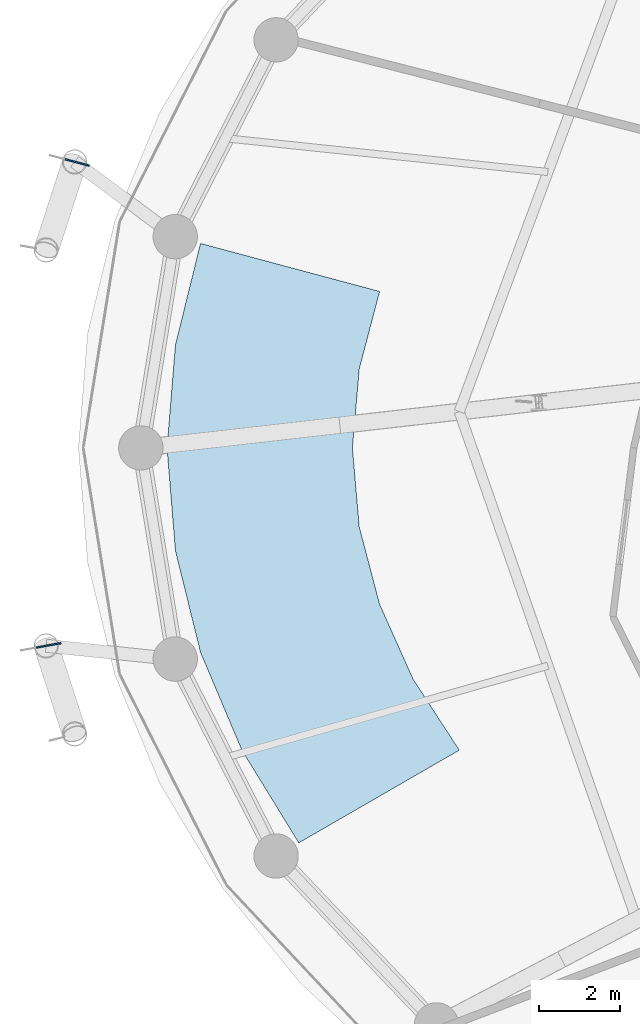
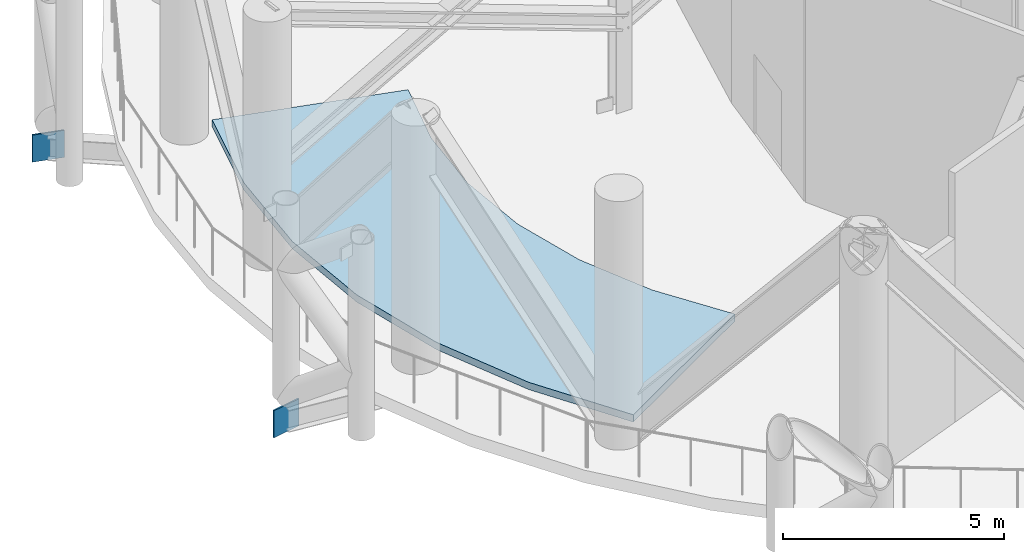
# One storey, part 5 of 19: 2 plates, 1 slab.
"""IFC4 building model written with IfcOpenShell, lengths in metres."""

import ifcopenshell
import ifcopenshell.guid

model = None  # the IFC model being written
_history = None  # IfcOwnerHistory: only IFC2X3 demands one
_inside = {}  # id of a spatial element -> (the spatial element, [elements in it])
_under = {}  # id of a project, library or spatial element -> (it, [spatial elements below it])
_declared = {}  # id of a project -> (the project, [libraries it declares])
_typed = {}  # id of a type object -> (the type object, [elements of that type])
_made_of = {}  # id of a material, layer set ... -> (it, [elements and type objects made of it])


def new_model(schema):
    """Start an empty IFC model of exactly this schema.

    Asked for "IFC4X3", IfcOpenShell would pick the latest addendum, in which some entities
    have other attributes; the version numbers below select the first issue.
    IFC2X3 requires an IfcOwnerHistory on every rooted entity: one is made here for all.
    """
    global model, _history
    if schema == "IFC4X3":
        model = ifcopenshell.file(schema_version=(4, 3, 0, 0))
    else:
        model = ifcopenshell.file(schema=schema)
    _inside.clear()
    _under.clear()
    _declared.clear()
    _typed.clear()
    _made_of.clear()
    _history = None
    if model.schema == "IFC2X3":
        org = make("IfcOrganization", Name="unknown")
        user = make(
            "IfcPersonAndOrganization",
            ThePerson=make("IfcPerson", FamilyName="unknown"),
            TheOrganization=org,
        )
        app = make(
            "IfcApplication",
            ApplicationDeveloper=org,
            Version="unknown",
            ApplicationFullName="unknown",
            ApplicationIdentifier="unknown",
        )
        _history = make(
            "IfcOwnerHistory",
            OwningUser=user,
            OwningApplication=app,
            ChangeAction="ADDED",
            CreationDate=0,
        )
    return model


def make(cls, **values):
    """One entity of the class cls with the attributes given. An attribute that is None is left unset."""
    return model.create_entity(
        cls, **{name: value for name, value in values.items() if value is not None}
    )


def rooted(cls, **values):
    """An entity with a GlobalId (a new one), such as an element, a storey or a relation."""
    return make(cls, GlobalId=ifcopenshell.guid.new(), OwnerHistory=_history, **values)


def si_unit(unit_type, name, prefix=None):
    """IfcSIUnit, for example si_unit("LENGTHUNIT", "METRE", prefix="MILLI")."""
    return make("IfcSIUnit", UnitType=unit_type, Prefix=prefix, Name=name)


def assignment(units):
    """IfcUnitAssignment: the units of a project."""
    return None if units is None else make("IfcUnitAssignment", Units=units)


def point(xyz):
    """IfcCartesianPoint."""
    return None if xyz is None else make("IfcCartesianPoint", Coordinates=xyz)


def direction(xyz):
    """IfcDirection."""
    return None if xyz is None else make("IfcDirection", DirectionRatios=xyz)


def frame(location, z_axis=None, x_axis=None):
    """IfcAxis2Placement3D, a coordinate frame: its origin and axes. An axis left out is left unset."""
    return make(
        "IfcAxis2Placement3D",
        Location=point(location),
        Axis=direction(z_axis),
        RefDirection=direction(x_axis),
    )


def frame_2d(location, x_axis=None):
    """IfcAxis2Placement2D, a coordinate frame in the plane: its origin and x axis."""
    return make(
        "IfcAxis2Placement2D", Location=point(location), RefDirection=direction(x_axis)
    )


def origin():
    """The frame at (0, 0, 0) with its axes left unset."""
    return frame((0.0, 0.0, 0.0))


def origin_2d():
    """The frame at (0, 0) in the plane with its x axis left unset."""
    return frame_2d((0.0, 0.0))


def place(relative_to, where):
    """IfcLocalPlacement: puts the frame where relative to a parent placement (None: the world)."""
    return make(
        "IfcLocalPlacement", PlacementRelTo=relative_to, RelativePlacement=where
    )


def context(
    kind, dimensions, precision=None, world=None, true_north=None, identifier=None
):
    """IfcGeometricRepresentationContext, for example the 3D "Model" context."""
    return make(
        "IfcGeometricRepresentationContext",
        ContextIdentifier=identifier,
        ContextType=kind,
        CoordinateSpaceDimension=dimensions,
        Precision=precision,
        WorldCoordinateSystem=world,
        TrueNorth=true_north,
    )


def subcontext(parent, identifier, kind, view, scale=None):
    """IfcGeometricRepresentationSubContext, for example "Body" below "Model"."""
    return make(
        "IfcGeometricRepresentationSubContext",
        ContextIdentifier=identifier,
        ContextType=kind,
        ParentContext=parent,
        TargetScale=scale,
        TargetView=view,
    )


def project(units=None, contexts=None):
    """IfcProject with its units and contexts."""
    return rooted(
        "IfcProject",
        Name="project",
        RepresentationContexts=contexts,
        UnitsInContext=assignment(units),
    )


def spatial(cls, under=None, at=None, **own):
    """A site, building, storey or space (cls), placed at a placement, below another one or the project."""
    s = rooted(cls, ObjectPlacement=at, **own)
    if under is not None:
        _under.setdefault(under.id(), (under, []))[1].append(s)
    return s


def polyline(points):
    """IfcPolyline through the points."""
    return make("IfcPolyline", Points=[point(p) for p in points])


def profile(cls, at=None, kind="AREA", **sizes):
    """A parametric profile (cls). Its sizes go by their IFC names, for example OverallWidth=200.0."""
    return make(cls, ProfileType=kind, Position=at, **sizes)


def rectangle(**sizes):
    """IfcRectangleProfileDef."""
    return profile("IfcRectangleProfileDef", **sizes)


def outline(outer, holes=None, kind="AREA"):
    """IfcArbitraryClosedProfileDef: a profile drawn as a closed curve; with holes, ...WithVoids."""
    if holes is None:
        return make("IfcArbitraryClosedProfileDef", ProfileType=kind, OuterCurve=outer)
    return make(
        "IfcArbitraryProfileDefWithVoids",
        ProfileType=kind,
        OuterCurve=outer,
        InnerCurves=holes,
    )


def extrude(swept, where, along, depth):
    """IfcExtrudedAreaSolid: the profile swept, set in the frame where, extruded along a direction by depth."""
    return make(
        "IfcExtrudedAreaSolid",
        SweptArea=swept,
        Position=where,
        ExtrudedDirection=direction(along),
        Depth=depth,
    )


def shape(context_of_items, identifier, shape_type, items):
    """IfcShapeRepresentation: the items that make up one representation, for example the "Body"."""
    return make(
        "IfcShapeRepresentation",
        ContextOfItems=context_of_items,
        RepresentationIdentifier=identifier,
        RepresentationType=shape_type,
        Items=items,
    )


def material(Name=None, Category=None):
    """IfcMaterial."""
    return make("IfcMaterial", Name=Name, Category=Category)


def layer(
    of_material, thickness, ventilated=None, Name=None, Category=None, Priority=None
):
    """IfcMaterialLayer: one layer of a wall or slab, of a material (None: an air gap)."""
    return make(
        "IfcMaterialLayer",
        Material=of_material,
        LayerThickness=thickness,
        IsVentilated=ventilated,
        Name=Name,
        Category=Category,
        Priority=Priority,
    )


def layer_set(layers, Name=None):
    """IfcMaterialLayerSet."""
    return make("IfcMaterialLayerSet", MaterialLayers=layers, LayerSetName=Name)


def made_of(thing, what):
    """Note that an element or type object is made of a material, layer set ...; save() writes the relation."""
    if what is not None:
        _made_of.setdefault(what.id(), (what, []))[1].append(thing)
    return thing


def type_object(cls, material=None, **own):
    """A type object (cls), such as IfcWallType, which elements share."""
    return made_of(rooted(cls, **own), material)


def element(
    cls,
    number,
    at=None,
    inside=None,
    cuts=None,
    type_object=None,
    material=None,
    context=None,
    identifier="Body",
    shape_type=None,
    held_by="IfcProductDefinitionShape",
    body=None,
    shapes=None,
    **own,
):
    """One element of the class cls, such as IfcWall. Its Tag is "e" and its number.

    at: its placement. inside: the storey or other place that contains it. cuts: it is an
    opening in that element (IfcRelVoidsElement). A single representation is given by context,
    identifier, shape_type and body (its items); several are given by shapes. held_by: the class
    of the entity that holds the representations. save() writes the other relations.
    """
    e = rooted(cls, Tag="e%d" % number, ObjectPlacement=at, **own)
    if body is not None:
        shapes = [shape(context, identifier, shape_type, body)]
    if shapes is not None:
        e.Representation = make(held_by, Representations=shapes)
    if inside is not None:
        _inside.setdefault(inside.id(), (inside, []))[1].append(e)
    if cuts is not None:
        rooted(
            "IfcRelVoidsElement", RelatingBuildingElement=cuts, RelatedOpeningElement=e
        )
    if type_object is not None:
        _typed.setdefault(type_object.id(), (type_object, []))[1].append(e)
    return made_of(e, material)


def aggregate(whole, parts):
    """IfcRelAggregates: a whole, such as a stair, and the parts it consists of."""
    return rooted("IfcRelAggregates", RelatingObject=whole, RelatedObjects=parts)


def save(model, path):
    """Write the relations noted so far, then the file.

    IfcRelAggregates (storeys below a building ...), IfcRelContainedInSpatialStructure (elements
    in a storey), IfcRelDefinesByType, IfcRelAssociatesMaterial and IfcRelDeclares: one each for
    every whole, place, type object, material and project.
    """
    for whole, parts in _under.values():
        aggregate(whole, parts)
    for where, things in _inside.values():
        rooted(
            "IfcRelContainedInSpatialStructure",
            RelatedElements=things,
            RelatingStructure=where,
        )
    for kind, things in _typed.values():
        rooted("IfcRelDefinesByType", RelatedObjects=things, RelatingType=kind)
    for what, things in _made_of.values():
        rooted("IfcRelAssociatesMaterial", RelatedObjects=things, RelatingMaterial=what)
    for by, libraries in _declared.values():
        rooted("IfcRelDeclares", RelatingContext=by, RelatedDefinitions=libraries)
    model.write(path)


model = new_model("IFC4")

# Units and contexts
model_context = context("Model", 3, precision=1e-05, world=origin(), true_north=direction((0.0, 1.0)))
body_context = subcontext(model_context, "Body", "Model", "MODEL_VIEW")
ifc_project = project(units=[si_unit("LENGTHUNIT", "METRE"), si_unit("AREAUNIT", "SQUARE_METRE"), si_unit("VOLUMEUNIT", "CUBIC_METRE"), si_unit("PLANEANGLEUNIT", "RADIAN"), si_unit("MASSUNIT", "GRAM", prefix="KILO")], contexts=[model_context])

# Site, building, storey
site_placement = place(None, origin())
site = spatial("IfcSite", under=ifc_project, at=site_placement, CompositionType="ELEMENT")
building_placement = place(site_placement, origin())
building = spatial("IfcBuilding", under=site, at=building_placement, Name="Nuhasar Tower", CompositionType="ELEMENT")
storey_placement = place(building_placement, frame((0.0, 0.0, 106.050048828125)))
storey = spatial("IfcBuildingStorey", under=building, at=storey_placement, Name="L25", CompositionType="ELEMENT", Elevation=106.050048828125)

# Plates
ifc_material_1 = material(Name="Steel S460", Category="steel")
ifc_layer_1 = layer(ifc_material_1, 0.0400390625)
ifc_layer_set_1 = layer_set([ifc_layer_1], Name="Steel S460")
plate_type = type_object("IfcPlateType", Name="PLT-GUSSET-40", PredefinedType="SHEET", material=ifc_layer_set_1)
for number, where, z_axis, x_axis, name in (
    (1, (12.30810546875, 33.89892578125, -1.030029296875), (0.0, 0.0, 1.0), (-0.966403000906, 0.257031593079, 0.0), "L25 Bronze Diagrid Gusset Node Plate 06"),
    (2, (11.60009765625, 21.889892578125, -1.030029296875), (0.0, 0.0, 1.0), (-0.984322075157, -0.176380419433, 0.0), "L25 Bronze Diagrid Gusset Node Plate 07"),
):
    element("IfcPlate", number, at=place(storey_placement, frame(where, z_axis=z_axis, x_axis=x_axis)), inside=storey, type_object=plate_type, Name=name, PredefinedType="SHEET", context=body_context, shape_type="SweptSolid", body=[
        extrude(rectangle(XDim=0.75, YDim=0.0400390625, at=origin_2d()), origin(), (0.0, 0.0, 1.0), 0.75),
    ])

# Slab
ifc_material_2 = material(Name="Concrete C50/60", Category="concrete")
ifc_layer_2 = layer(ifc_material_2, 0.199951171875)
ifc_layer_set_2 = layer_set([ifc_layer_2], Name="Concrete C50/60")
slab_type = type_object("IfcSlabType", Name="SLB-PLN-200", PredefinedType="BASESLAB", material=ifc_layer_set_2)
slab_placement = place(storey_placement, origin())
element("IfcSlab", 3, at=slab_placement, inside=storey, type_object=slab_type, Name="L25 Mechanical Plant Plinth Slab West", PredefinedType="BASESLAB", context=body_context, shape_type="SweptSolid", body=[
    extrude(outline(polyline([(15.430908203125, 31.873046875), (14.80908203125, 29.35791015625), (14.60009765625, 26.800048828125), (14.80908203125, 24.241943359375), (15.430908203125, 21.72705078125), (16.45703125, 19.299072265625), (17.868896484375, 17.0), (21.85302734375, 19.300048828125), (20.70703125, 21.06005859375), (19.875, 22.91796875), (19.368896484375, 24.842041015625), (19.199951171875, 26.800048828125), (19.368896484375, 28.758056640625), (19.875, 30.681884765625), (15.430908203125, 31.873046875)])), origin(), (0.0, 0.0, 1.0), 0.199951171875),
])

save(model, "model.ifc")
